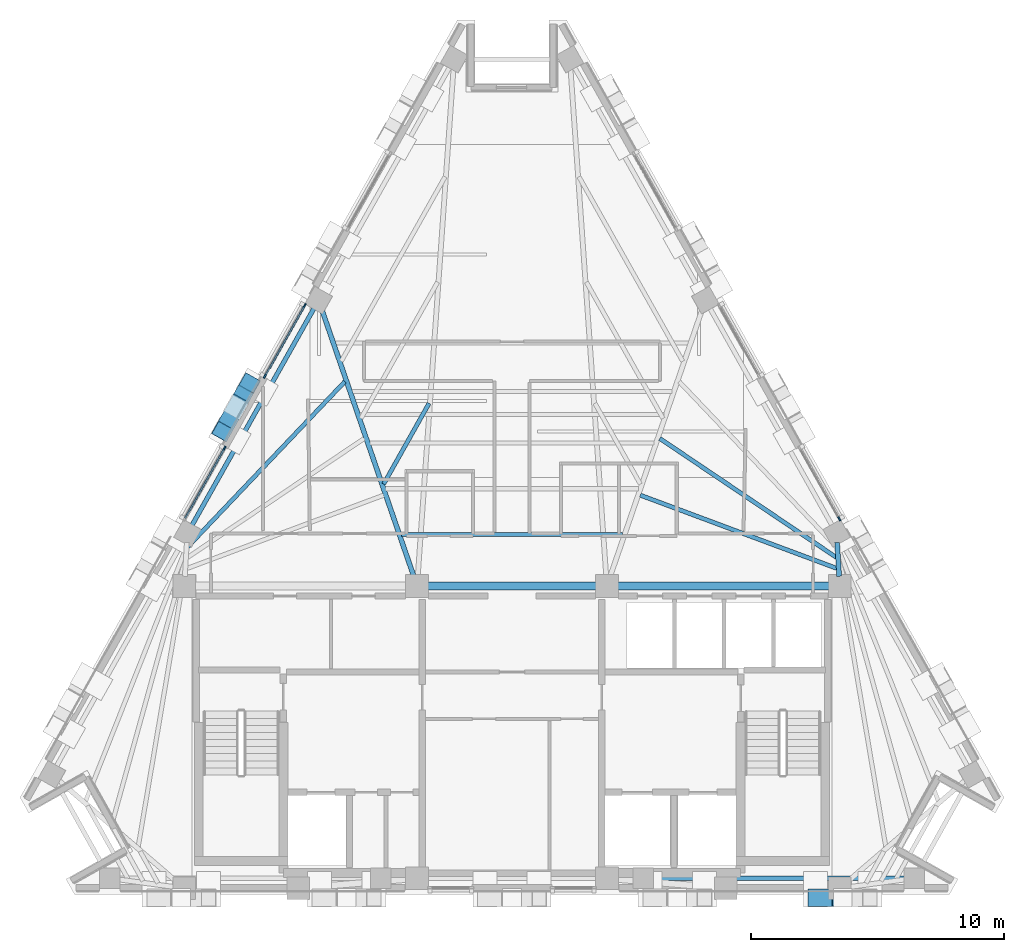
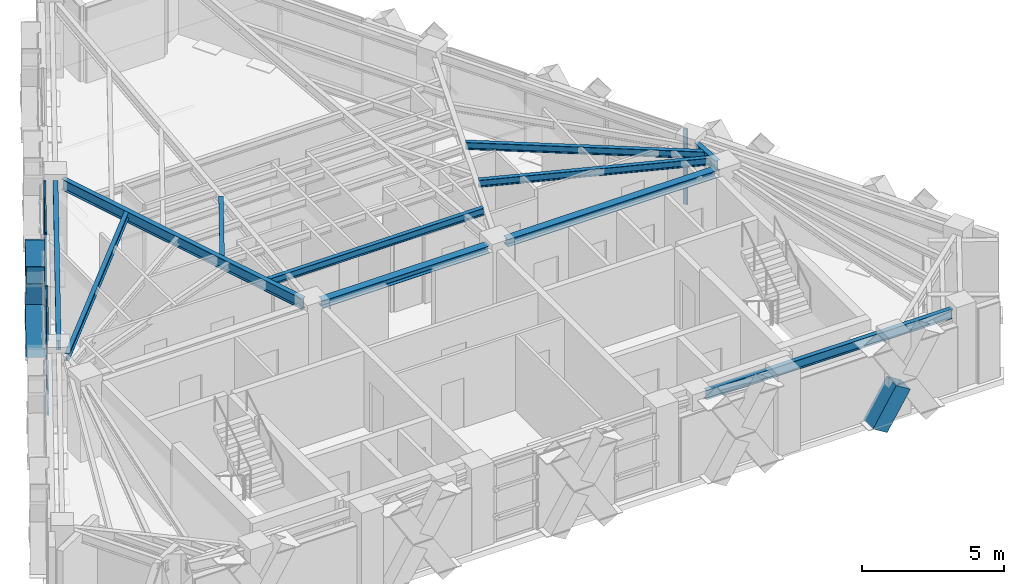
# One storey, part 3 of 11: 14 members, 11 beams, 3 elements without a shape of their own.
"""IFC4 building model written with IfcOpenShell, lengths in metres."""

import ifcopenshell
import ifcopenshell.guid

model = None  # the IFC model being written
_history = None  # IfcOwnerHistory: only IFC2X3 demands one
_inside = {}  # id of a spatial element -> (the spatial element, [elements in it])
_under = {}  # id of a project, library or spatial element -> (it, [spatial elements below it])
_declared = {}  # id of a project -> (the project, [libraries it declares])
_typed = {}  # id of a type object -> (the type object, [elements of that type])
_made_of = {}  # id of a material, layer set ... -> (it, [elements and type objects made of it])


def new_model(schema):
    """Start an empty IFC model of exactly this schema.

    Asked for "IFC4X3", IfcOpenShell would pick the latest addendum, in which some entities
    have other attributes; the version numbers below select the first issue.
    IFC2X3 requires an IfcOwnerHistory on every rooted entity: one is made here for all.
    """
    global model, _history
    if schema == "IFC4X3":
        model = ifcopenshell.file(schema_version=(4, 3, 0, 0))
    else:
        model = ifcopenshell.file(schema=schema)
    _inside.clear()
    _under.clear()
    _declared.clear()
    _typed.clear()
    _made_of.clear()
    _history = None
    if model.schema == "IFC2X3":
        org = make("IfcOrganization", Name="unknown")
        user = make(
            "IfcPersonAndOrganization",
            ThePerson=make("IfcPerson", FamilyName="unknown"),
            TheOrganization=org,
        )
        app = make(
            "IfcApplication",
            ApplicationDeveloper=org,
            Version="unknown",
            ApplicationFullName="unknown",
            ApplicationIdentifier="unknown",
        )
        _history = make(
            "IfcOwnerHistory",
            OwningUser=user,
            OwningApplication=app,
            ChangeAction="ADDED",
            CreationDate=0,
        )
    return model


def make(cls, **values):
    """One entity of the class cls with the attributes given. An attribute that is None is left unset."""
    return model.create_entity(
        cls, **{name: value for name, value in values.items() if value is not None}
    )


def rooted(cls, **values):
    """An entity with a GlobalId (a new one), such as an element, a storey or a relation."""
    return make(cls, GlobalId=ifcopenshell.guid.new(), OwnerHistory=_history, **values)


def si_unit(unit_type, name, prefix=None):
    """IfcSIUnit, for example si_unit("LENGTHUNIT", "METRE", prefix="MILLI")."""
    return make("IfcSIUnit", UnitType=unit_type, Prefix=prefix, Name=name)


def assignment(units):
    """IfcUnitAssignment: the units of a project."""
    return None if units is None else make("IfcUnitAssignment", Units=units)


def point(xyz):
    """IfcCartesianPoint."""
    return None if xyz is None else make("IfcCartesianPoint", Coordinates=xyz)


def direction(xyz):
    """IfcDirection."""
    return None if xyz is None else make("IfcDirection", DirectionRatios=xyz)


def frame(location, z_axis=None, x_axis=None):
    """IfcAxis2Placement3D, a coordinate frame: its origin and axes. An axis left out is left unset."""
    return make(
        "IfcAxis2Placement3D",
        Location=point(location),
        Axis=direction(z_axis),
        RefDirection=direction(x_axis),
    )


def frame_2d(location, x_axis=None):
    """IfcAxis2Placement2D, a coordinate frame in the plane: its origin and x axis."""
    return make(
        "IfcAxis2Placement2D", Location=point(location), RefDirection=direction(x_axis)
    )


def origin():
    """The frame at (0, 0, 0) with its axes left unset."""
    return frame((0.0, 0.0, 0.0))


def origin_2d():
    """The frame at (0, 0) in the plane with its x axis left unset."""
    return frame_2d((0.0, 0.0))


def place(relative_to, where):
    """IfcLocalPlacement: puts the frame where relative to a parent placement (None: the world)."""
    return make(
        "IfcLocalPlacement", PlacementRelTo=relative_to, RelativePlacement=where
    )


def context(
    kind, dimensions, precision=None, world=None, true_north=None, identifier=None
):
    """IfcGeometricRepresentationContext, for example the 3D "Model" context."""
    return make(
        "IfcGeometricRepresentationContext",
        ContextIdentifier=identifier,
        ContextType=kind,
        CoordinateSpaceDimension=dimensions,
        Precision=precision,
        WorldCoordinateSystem=world,
        TrueNorth=true_north,
    )


def subcontext(parent, identifier, kind, view, scale=None):
    """IfcGeometricRepresentationSubContext, for example "Body" below "Model"."""
    return make(
        "IfcGeometricRepresentationSubContext",
        ContextIdentifier=identifier,
        ContextType=kind,
        ParentContext=parent,
        TargetScale=scale,
        TargetView=view,
    )


def project(units=None, contexts=None):
    """IfcProject with its units and contexts."""
    return rooted(
        "IfcProject",
        Name="project",
        RepresentationContexts=contexts,
        UnitsInContext=assignment(units),
    )


def spatial(cls, under=None, at=None, **own):
    """A site, building, storey or space (cls), placed at a placement, below another one or the project."""
    s = rooted(cls, ObjectPlacement=at, **own)
    if under is not None:
        _under.setdefault(under.id(), (under, []))[1].append(s)
    return s


def profile(cls, at=None, kind="AREA", **sizes):
    """A parametric profile (cls). Its sizes go by their IFC names, for example OverallWidth=200.0."""
    return make(cls, ProfileType=kind, Position=at, **sizes)


def rectangle(**sizes):
    """IfcRectangleProfileDef."""
    return profile("IfcRectangleProfileDef", **sizes)


def hollow_rectangle(**sizes):
    """IfcRectangleHollowProfileDef."""
    return profile("IfcRectangleHollowProfileDef", **sizes)


def i_section(**sizes):
    """IfcIShapeProfileDef."""
    return profile("IfcIShapeProfileDef", **sizes)


def extrude(swept, where, along, depth):
    """IfcExtrudedAreaSolid: the profile swept, set in the frame where, extruded along a direction by depth."""
    return make(
        "IfcExtrudedAreaSolid",
        SweptArea=swept,
        Position=where,
        ExtrudedDirection=direction(along),
        Depth=depth,
    )


def shape(context_of_items, identifier, shape_type, items):
    """IfcShapeRepresentation: the items that make up one representation, for example the "Body"."""
    return make(
        "IfcShapeRepresentation",
        ContextOfItems=context_of_items,
        RepresentationIdentifier=identifier,
        RepresentationType=shape_type,
        Items=items,
    )


def material(Name=None, Category=None):
    """IfcMaterial."""
    return make("IfcMaterial", Name=Name, Category=Category)


def material_profile(
    of_material, cross_section, Name=None, Category=None, Priority=None
):
    """IfcMaterialProfile: a cross section and its material."""
    return make(
        "IfcMaterialProfile",
        Name=Name,
        Material=of_material,
        Profile=cross_section,
        Priority=Priority,
        Category=Category,
    )


def profile_set(profiles, Name=None, composite=None):
    """IfcMaterialProfileSet."""
    return make(
        "IfcMaterialProfileSet",
        Name=Name,
        MaterialProfiles=profiles,
        CompositeProfile=composite,
    )


def made_of(thing, what):
    """Note that an element or type object is made of a material, layer set ...; save() writes the relation."""
    if what is not None:
        _made_of.setdefault(what.id(), (what, []))[1].append(thing)
    return thing


def type_object(cls, material=None, **own):
    """A type object (cls), such as IfcWallType, which elements share."""
    return made_of(rooted(cls, **own), material)


def element(
    cls,
    number,
    at=None,
    inside=None,
    cuts=None,
    type_object=None,
    material=None,
    context=None,
    identifier="Body",
    shape_type=None,
    held_by="IfcProductDefinitionShape",
    body=None,
    shapes=None,
    **own,
):
    """One element of the class cls, such as IfcWall. Its Tag is "e" and its number.

    at: its placement. inside: the storey or other place that contains it. cuts: it is an
    opening in that element (IfcRelVoidsElement). A single representation is given by context,
    identifier, shape_type and body (its items); several are given by shapes. held_by: the class
    of the entity that holds the representations. save() writes the other relations.
    """
    e = rooted(cls, Tag="e%d" % number, ObjectPlacement=at, **own)
    if body is not None:
        shapes = [shape(context, identifier, shape_type, body)]
    if shapes is not None:
        e.Representation = make(held_by, Representations=shapes)
    if inside is not None:
        _inside.setdefault(inside.id(), (inside, []))[1].append(e)
    if cuts is not None:
        rooted(
            "IfcRelVoidsElement", RelatingBuildingElement=cuts, RelatedOpeningElement=e
        )
    if type_object is not None:
        _typed.setdefault(type_object.id(), (type_object, []))[1].append(e)
    return made_of(e, material)


def aggregate(whole, parts):
    """IfcRelAggregates: a whole, such as a stair, and the parts it consists of."""
    return rooted("IfcRelAggregates", RelatingObject=whole, RelatedObjects=parts)


def save(model, path):
    """Write the relations noted so far, then the file.

    IfcRelAggregates (storeys below a building ...), IfcRelContainedInSpatialStructure (elements
    in a storey), IfcRelDefinesByType, IfcRelAssociatesMaterial and IfcRelDeclares: one each for
    every whole, place, type object, material and project.
    """
    for whole, parts in _under.values():
        aggregate(whole, parts)
    for where, things in _inside.values():
        rooted(
            "IfcRelContainedInSpatialStructure",
            RelatedElements=things,
            RelatingStructure=where,
        )
    for kind, things in _typed.values():
        rooted("IfcRelDefinesByType", RelatedObjects=things, RelatingType=kind)
    for what, things in _made_of.values():
        rooted("IfcRelAssociatesMaterial", RelatedObjects=things, RelatingMaterial=what)
    for by, libraries in _declared.values():
        rooted("IfcRelDeclares", RelatingContext=by, RelatedDefinitions=libraries)
    model.write(path)


model = new_model("IFC4")

# Units and contexts
model_context = context("Model", 3, precision=1e-05, world=origin(), true_north=direction((0.0, 1.0)))
body_context = subcontext(model_context, "Body", "Model", "MODEL_VIEW")
ifc_project = project(units=[si_unit("LENGTHUNIT", "METRE"), si_unit("AREAUNIT", "SQUARE_METRE"), si_unit("VOLUMEUNIT", "CUBIC_METRE"), si_unit("PLANEANGLEUNIT", "RADIAN"), si_unit("MASSUNIT", "GRAM", prefix="KILO")], contexts=[model_context])

# Site, building, storey
site_placement = place(None, origin())
site = spatial("IfcSite", under=ifc_project, at=site_placement, CompositionType="ELEMENT")
building_placement = place(site_placement, origin())
building = spatial("IfcBuilding", under=site, at=building_placement, Name="Quenlor Broadcast Tower", CompositionType="ELEMENT")
storey_placement = place(building_placement, frame((0.0, 0.0, 253.39990234375)))
storey = spatial("IfcBuildingStorey", under=building, at=storey_placement, Name="L70", CompositionType="ELEMENT", Elevation=253.39990234375)

# Curtain wall, member
ifc_material_1 = material(Name="Architectural Terracotta and Low-E Glazing", Category="masonry")
curtain_wall_type = type_object("IfcCurtainWallType", Name="Unitised Terracotta Curtain Wall System Z5", PredefinedType="NOTDEFINED", material=ifc_material_1)
curtain_wall_1_placement = place(storey_placement, origin())
curtain_wall_1 = element("IfcCurtainWall", 1, at=curtain_wall_1_placement, inside=storey, type_object=curtain_wall_type, Name="L70 Curtain Wall CW5 (L70-NE-G2)", PredefinedType="NOTDEFINED")
ifc_material_2 = material(Name="Aluminium 6063-T6", Category="aluminium")
ifc_material_profile_1 = material_profile(ifc_material_2, rectangle(XDim=0.06494140625, YDim=0.169921875, at=origin_2d()))
ifc_profile_set_1 = profile_set([ifc_material_profile_1], Name="Aluminium 6063-T6 MULL65x170")
member_type_1 = type_object("IfcMemberType", Name="CW5 Aluminium Mullion MULL_CW5", PredefinedType="MULLION", material=ifc_profile_set_1)
member_1_placement = place(storey_placement, frame((12.930419921875, -2.1484375, 0.0), z_axis=(0.0, 0.0, 1.0), x_axis=(0.871574721405, 0.490262689797, 0.0)))
member_1 = element("IfcMember", 2, at=member_1_placement, type_object=member_type_1, Name="CW5 mullion 2", PredefinedType="MULLION", context=body_context, shape_type="SweptSolid", body=[
    extrude(rectangle(XDim=0.06494140625, YDim=0.169921875, at=origin_2d()), origin(), (0.0, 0.0, 1.0), 3.25),
])
aggregate(curtain_wall_1, [member_1])

curtain_wall_2_placement = place(storey_placement, origin())
curtain_wall_2 = element("IfcCurtainWall", 3, at=curtain_wall_2_placement, inside=storey, type_object=curtain_wall_type, Name="L70 Curtain Wall CW5 (L70-NW-G1)", PredefinedType="NOTDEFINED")
member_2_placement = place(storey_placement, frame((-11.357177734375, 0.6484375, 0.0), z_axis=(0.0, 0.0, 1.0), x_axis=(-0.871574721405, 0.490262689797, 0.0)))
member_2 = element("IfcMember", 4, at=member_2_placement, type_object=member_type_1, Name="CW5 mullion 2", PredefinedType="MULLION", context=body_context, shape_type="SweptSolid", body=[
    extrude(rectangle(XDim=0.06494140625, YDim=0.169921875, at=origin_2d()), origin(), (0.0, 0.0, 1.0), 3.25),
])

# Curtain wall, members
curtain_wall_3_placement = place(storey_placement, origin())
curtain_wall_3 = element("IfcCurtainWall", 5, at=curtain_wall_3_placement, inside=storey, type_object=curtain_wall_type, Name="L70 Curtain Wall CW5 (L70-NW-G2)", PredefinedType="NOTDEFINED")
member_3_placement = place(storey_placement, frame((-9.763427734375, 3.48193359375, 0.0), z_axis=(0.0, 0.0, 1.0), x_axis=(-0.871574721405, 0.490262689797, 0.0)))
member_3 = element("IfcMember", 6, at=member_3_placement, type_object=member_type_1, Name="CW5 mullion 1", PredefinedType="MULLION", context=body_context, shape_type="SweptSolid", body=[
    extrude(rectangle(XDim=0.06494140625, YDim=0.169921875, at=origin_2d()), origin(), (0.0, 0.0, 1.0), 3.25),
])
member_4_placement = place(storey_placement, frame((-8.190185546875, 6.27880859375, 0.0), z_axis=(0.0, 0.0, 1.0), x_axis=(-0.871574721405, 0.490262689797, 0.0)))
member_4 = element("IfcMember", 7, at=member_4_placement, type_object=member_type_1, Name="CW5 mullion 2", PredefinedType="MULLION", context=body_context, shape_type="SweptSolid", body=[
    extrude(rectangle(XDim=0.06494140625, YDim=0.169921875, at=origin_2d()), origin(), (0.0, 0.0, 1.0), 3.25),
])

# Member
ifc_material_3 = material(Name="Aluminium 6063-T6", Category="aluminium")
ifc_material_profile_2 = material_profile(ifc_material_3, rectangle(XDim=0.06494140625, YDim=0.139892578125, at=origin_2d()))
ifc_profile_set_2 = profile_set([ifc_material_profile_2], Name="Aluminium 6063-T6 TRAN65x140")
member_type_2 = type_object("IfcMemberType", Name="CW5 Aluminium Transom TRAN_CW5", PredefinedType="USERDEFINED", material=ifc_profile_set_2)
member_5_placement = place(storey_placement, frame((-12.91455078125, -2.1201171875, 0.03271484375), z_axis=(0.490290733046, 0.871558946422, 0.0), x_axis=(-0.871558946422, 0.490290733046, 0.0)))
member_5 = element("IfcMember", 8, at=member_5_placement, type_object=member_type_2, Name="CW5 transom 1.1", ObjectType="TRANSOM", PredefinedType="USERDEFINED", context=body_context, shape_type="SweptSolid", body=[
    extrude(rectangle(XDim=0.06494140625, YDim=0.139892578125, at=origin_2d()), origin(), (0.0, 0.0, 1.0), 3.14404296875),
])

member_6_placement = place(storey_placement, frame((-12.91455078125, -2.1201171875, 0.9501953125), z_axis=(0.490290733046, 0.871558946422, 0.0), x_axis=(-0.871558946422, 0.490290733046, 0.0)))
member_6 = element("IfcMember", 9, at=member_6_placement, type_object=member_type_2, Name="CW5 transom 1.2", ObjectType="TRANSOM", PredefinedType="USERDEFINED", context=body_context, shape_type="SweptSolid", body=[
    extrude(rectangle(XDim=0.06494140625, YDim=0.139892578125, at=origin_2d()), origin(), (0.0, 0.0, 1.0), 3.14404296875),
])

member_7_placement = place(storey_placement, frame((-12.91455078125, -2.1201171875, 3.217529296875), z_axis=(0.490290733046, 0.871558946422, 0.0), x_axis=(-0.871558946422, 0.490290733046, 0.0)))
member_7 = element("IfcMember", 10, at=member_7_placement, type_object=member_type_2, Name="CW5 transom 1.3", ObjectType="TRANSOM", PredefinedType="USERDEFINED", context=body_context, shape_type="SweptSolid", body=[
    extrude(rectangle(XDim=0.06494140625, YDim=0.139892578125, at=origin_2d()), origin(), (0.0, 0.0, 1.0), 3.14404296875),
])

aggregate(curtain_wall_2, [member_2, member_5, member_6, member_7])

member_8_placement = place(storey_placement, frame((-9.747314453125, 3.51025390625, 0.03271484375), z_axis=(0.490231744535, 0.87159212746, 0.0), x_axis=(-0.87159212746, 0.490231744535, 0.0)))
member_8 = element("IfcMember", 11, at=member_8_placement, type_object=member_type_2, Name="CW5 transom 1.1", ObjectType="TRANSOM", PredefinedType="USERDEFINED", context=body_context, shape_type="SweptSolid", body=[
    extrude(rectangle(XDim=0.06494140625, YDim=0.139892578125, at=origin_2d()), origin(), (0.0, 0.0, 1.0), 3.14404296875),
])

member_9_placement = place(storey_placement, frame((-9.747314453125, 3.51025390625, 0.9501953125), z_axis=(0.490231744535, 0.87159212746, 0.0), x_axis=(-0.87159212746, 0.490231744535, 0.0)))
member_9 = element("IfcMember", 12, at=member_9_placement, type_object=member_type_2, Name="CW5 transom 1.2", ObjectType="TRANSOM", PredefinedType="USERDEFINED", context=body_context, shape_type="SweptSolid", body=[
    extrude(rectangle(XDim=0.06494140625, YDim=0.139892578125, at=origin_2d()), origin(), (0.0, 0.0, 1.0), 3.14404296875),
])

member_10_placement = place(storey_placement, frame((-9.747314453125, 3.51025390625, 3.217529296875), z_axis=(0.490231744535, 0.87159212746, 0.0), x_axis=(-0.87159212746, 0.490231744535, 0.0)))
member_10 = element("IfcMember", 13, at=member_10_placement, type_object=member_type_2, Name="CW5 transom 1.3", ObjectType="TRANSOM", PredefinedType="USERDEFINED", context=body_context, shape_type="SweptSolid", body=[
    extrude(rectangle(XDim=0.06494140625, YDim=0.139892578125, at=origin_2d()), origin(), (0.0, 0.0, 1.0), 3.14404296875),
])

aggregate(curtain_wall_3, [member_3, member_4, member_8, member_9, member_10])

# Beams
ifc_material_4 = material(Name="Steel S355", Category="steel")
ifc_material_profile_3 = material_profile(ifc_material_4, i_section(OverallWidth=0.304931640625, OverallDepth=0.30810546875, WebThickness=0.010009765625, FlangeThickness=0.015380859375, FilletRadius=0.0166015625, at=origin_2d()))
ifc_profile_set_3 = profile_set([ifc_material_profile_3], Name="Steel S355 310UC96.8")
beam_type_1 = type_object("IfcBeamType", Name="Core Header Beam Steel S355 310UC96.8", PredefinedType="BEAM", material=ifc_profile_set_3)
beam_1_placement = place(storey_placement, frame((-3.389892578125, -4.800048828125, 3.09619140625), z_axis=(1.0, 0.0, 0.0), x_axis=(0.0, 1.0, 0.0)))
element("IfcBeam", 14, at=beam_1_placement, inside=storey, type_object=beam_type_1, Name="L70 Core Header Beam 2", PredefinedType="BEAM", context=body_context, shape_type="SweptSolid", body=[
    extrude(i_section(OverallWidth=0.304931640625, OverallDepth=0.30810546875, WebThickness=0.010009765625, FlangeThickness=0.015380859375, FilletRadius=0.0166015625, at=origin_2d()), origin(), (0.0, 0.0, 1.0), 6.77978515625),
])
ifc_material_5 = material(Name="Steel S355", Category="steel")
ifc_material_profile_4 = material_profile(ifc_material_5, i_section(OverallWidth=0.306884765625, OverallDepth=0.314697265625, WebThickness=0.011962890625, FlangeThickness=0.018798828125, FilletRadius=0.0166015625, at=origin_2d()))
ifc_profile_set_4 = profile_set([ifc_material_profile_4], Name="Steel S355 310UC118")
beam_type_2 = type_object("IfcBeamType", Name="Core Tie Beam Steel S355 310UC118", PredefinedType="BEAM", material=ifc_profile_set_4)
beam_2_placement = place(storey_placement, frame((4.110107421875, -4.800048828125, 3.0927734375), z_axis=(1.0, 0.0, 0.0), x_axis=(0.0, 1.0, 0.0)))
element("IfcBeam", 15, at=beam_2_placement, inside=storey, type_object=beam_type_2, Name="L70 Core Tie Beam 3", PredefinedType="BEAM", context=body_context, shape_type="SweptSolid", body=[
    extrude(i_section(OverallWidth=0.306884765625, OverallDepth=0.314697265625, WebThickness=0.011962890625, FlangeThickness=0.018798828125, FilletRadius=0.0166015625, at=origin_2d()), origin(), (0.0, 0.0, 1.0), 8.47998046875),
])

# Members
ifc_material_6 = material(Name="Steel S355", Category="steel")
ifc_material_profile_5 = material_profile(ifc_material_6, hollow_rectangle(XDim=0.679931640625, YDim=0.679931640625, WallThickness=0.02001953125, at=origin_2d()))
ifc_profile_set_5 = profile_set([ifc_material_profile_5], Name="Steel S355 RHS680x680x20")
member_type_3 = type_object("IfcMemberType", Name="Perimeter Diagonal Lattice Brace Z5-Crown Steel S355 RHS680x20", PredefinedType="BRACE", material=ifc_profile_set_5)
member_11_placement = place(storey_placement, frame((11.98828125, -17.1201171875, -0.119873046875), z_axis=(0.523719849356, 0.0, 0.851890555993), x_axis=(0.0, 1.0, 0.0)))
element("IfcMember", 16, at=member_11_placement, inside=storey, type_object=member_type_3, Name="L70 Perimeter Diamond Lattice S-C1XB1", PredefinedType="BRACE", context=body_context, shape_type="SweptSolid", body=[
    extrude(hollow_rectangle(XDim=0.679931640625, YDim=0.679931640625, WallThickness=0.02001953125, at=origin_2d()), origin(), (0.0, 0.0, 1.0), 1.803955078125),
])
member_12_placement = place(storey_placement, frame((-11.443115234375, 1.3017578125, -0.119873046875), z_axis=(0.260618804175, 0.463276364439, 0.847025884529), x_axis=(-0.8715547569, 0.490298180422, 0.0)))
element("IfcMember", 17, at=member_12_placement, inside=storey, type_object=member_type_3, Name="L70 Perimeter Diamond Lattice NW-C3XA", PredefinedType="BRACE", context=body_context, shape_type="SweptSolid", body=[
    extrude(hollow_rectangle(XDim=0.679931640625, YDim=0.679931640625, WallThickness=0.02001953125, at=origin_2d()), origin(), (0.0, 0.0, 1.0), 4.132080078125),
])
member_13_placement = place(storey_placement, frame((-10.3662109375, 3.216064453125, -0.119873046875), z_axis=(-0.26068648878, -0.463293264743, 0.846995811921), x_axis=(0.871507987664, -0.490381308207, 0.0)))
element("IfcMember", 18, at=member_13_placement, inside=storey, type_object=member_type_3, Name="L70 Perimeter Diamond Lattice NW-C3XB1", PredefinedType="BRACE", context=body_context, shape_type="SweptSolid", body=[
    extrude(hollow_rectangle(XDim=0.679931640625, YDim=0.679931640625, WallThickness=0.02001953125, at=origin_2d()), origin(), (0.0, 0.0, 1.0), 1.81591796875),
])
member_14_placement = place(storey_placement, frame((-10.9697265625, 2.14306640625, 1.841796875), z_axis=(-0.260656806259, -0.463240512825, 0.847033798988), x_axis=(0.871507987664, -0.490381308207, 0.0)))
element("IfcMember", 19, at=member_14_placement, inside=storey, type_object=member_type_3, Name="L70 Perimeter Diamond Lattice NW-C3XB2", PredefinedType="BRACE", context=body_context, shape_type="SweptSolid", body=[
    extrude(hollow_rectangle(XDim=0.679931640625, YDim=0.679931640625, WallThickness=0.02001953125, at=origin_2d()), origin(), (0.0, 0.0, 1.0), 1.816162109375),
])

# Beams
ifc_material_7 = material(Name="Steel S355", Category="steel")
ifc_material_profile_6 = material_profile(ifc_material_7, i_section(OverallWidth=0.177978515625, OverallDepth=0.406494140625, WebThickness=0.0078125, FlangeThickness=0.0126953125, FilletRadius=0.011474609375, at=origin_2d()))
ifc_profile_set_6 = profile_set([ifc_material_profile_6], Name="Steel S355 410UB59.7")
beam_type_3 = type_object("IfcBeamType", Name="Perimeter Spandrel Beam Z5 Steel S355 410UB59.7", PredefinedType="SPANDREL", material=ifc_profile_set_6)
beam_3_placement = place(storey_placement, frame((5.5439453125, -16.35009765625, 3.046875), z_axis=(1.0, 0.0, 0.0), x_axis=(0.0, 1.0, 0.0)))
element("IfcBeam", 20, at=beam_3_placement, inside=storey, type_object=beam_type_3, Name="L70 Spandrel Beam S3-S4", PredefinedType="SPANDREL", context=body_context, shape_type="SweptSolid", body=[
    extrude(i_section(OverallWidth=0.177978515625, OverallDepth=0.406494140625, WebThickness=0.0078125, FlangeThickness=0.0126953125, FilletRadius=0.011474609375, at=origin_2d()), origin(), (0.0, 0.0, 1.0), 9.99365234375),
])
beam_4_placement = place(storey_placement, frame((-7.818115234375, 6.175537109375, 3.046875), z_axis=(-0.49024947634, -0.871582153872, 0.0), x_axis=(0.871582153872, -0.49024947634, 0.0)))
element("IfcBeam", 21, at=beam_4_placement, inside=storey, type_object=beam_type_3, Name="L70 Spandrel Beam NW2-NW3", PredefinedType="SPANDREL", context=body_context, shape_type="SweptSolid", body=[
    extrude(i_section(OverallWidth=0.177978515625, OverallDepth=0.406494140625, WebThickness=0.0078125, FlangeThickness=0.0126953125, FilletRadius=0.011474609375, at=origin_2d()), origin(), (0.0, 0.0, 1.0), 9.853759765625),
])
ifc_material_8 = material(Name="Steel S355", Category="steel")
ifc_material_profile_7 = material_profile(ifc_material_8, i_section(OverallWidth=0.166015625, OverallDepth=0.30712890625, WebThickness=0.006591796875, FlangeThickness=0.01171875, FilletRadius=0.011474609375, at=origin_2d()))
ifc_profile_set_7 = profile_set([ifc_material_profile_7], Name="Steel S355 310UB46.2")
beam_type_4 = type_object("IfcBeamType", Name="Tower Composite Joist Z4-Z5 Steel S355 310UB46.2", PredefinedType="JOIST", material=ifc_profile_set_7)
beam_5_placement = place(storey_placement, frame((-4.37060546875, -2.767822265625, 3.096435546875), z_axis=(1.0, 0.0, 0.0), x_axis=(0.0, 1.0, 0.0)))
element("IfcBeam", 22, at=beam_5_placement, inside=storey, type_object=beam_type_4, Name="L70 Secondary Composite Joist 1", PredefinedType="JOIST", context=body_context, shape_type="SweptSolid", body=[
    extrude(i_section(OverallWidth=0.166015625, OverallDepth=0.30712890625, WebThickness=0.006591796875, FlangeThickness=0.01171875, FilletRadius=0.011474609375, at=origin_2d()), origin(), (0.0, 0.0, 1.0), 8.7412109375),
])
beam_6_placement = place(storey_placement, frame((-12.80517578125, -3.249267578125, 3.096435546875), z_axis=(0.689023306429, 0.724739182877, 0.0), x_axis=(-0.724739182877, 0.689023306429, 0.0)))
element("IfcBeam", 23, at=beam_6_placement, inside=storey, type_object=beam_type_4, Name="L70 Secondary Composite Joist 9", PredefinedType="JOIST", context=body_context, shape_type="SweptSolid", body=[
    extrude(i_section(OverallWidth=0.166015625, OverallDepth=0.30712890625, WebThickness=0.006591796875, FlangeThickness=0.01171875, FilletRadius=0.011474609375, at=origin_2d()), origin(), (0.0, 0.0, 1.0), 8.99560546875),
])
beam_7_placement = place(storey_placement, frame((12.835205078125, -4.108642578125, 3.096435546875), z_axis=(-0.937062080226, 0.349162795559, 0.0), x_axis=(-0.349162795559, -0.937062080226, 0.0)))
element("IfcBeam", 24, at=beam_7_placement, inside=storey, type_object=beam_type_4, Name="L70 Secondary Composite Joist 10", PredefinedType="JOIST", context=body_context, shape_type="SweptSolid", body=[
    extrude(i_section(OverallWidth=0.166015625, OverallDepth=0.30712890625, WebThickness=0.006591796875, FlangeThickness=0.01171875, FilletRadius=0.011474609375, at=origin_2d()), origin(), (0.0, 0.0, 1.0), 8.286376953125),
])
beam_8_placement = place(storey_placement, frame((12.81884765625, -3.67724609375, 3.096435546875), z_axis=(-0.829286301475, 0.558823970661, 0.0), x_axis=(-0.558823970661, -0.829286301475, 0.0)))
element("IfcBeam", 25, at=beam_8_placement, inside=storey, type_object=beam_type_4, Name="L70 Secondary Composite Joist 11", PredefinedType="JOIST", context=body_context, shape_type="SweptSolid", body=[
    extrude(i_section(OverallWidth=0.166015625, OverallDepth=0.30712890625, WebThickness=0.006591796875, FlangeThickness=0.01171875, FilletRadius=0.011474609375, at=origin_2d()), origin(), (0.0, 0.0, 1.0), 8.415771484375),
])
beam_9_placement = place(storey_placement, frame((-3.2763671875, 2.41455078125, 3.096435546875), z_axis=(-0.490258076222, -0.871577316535, 0.0), x_axis=(0.871577316535, -0.490258076222, 0.0)))
element("IfcBeam", 26, at=beam_9_placement, inside=storey, type_object=beam_type_4, Name="L70 Secondary Composite Joist 25", PredefinedType="JOIST", context=body_context, shape_type="SweptSolid", body=[
    extrude(i_section(OverallWidth=0.166015625, OverallDepth=0.30712890625, WebThickness=0.006591796875, FlangeThickness=0.01171875, FilletRadius=0.011474609375, at=origin_2d()), origin(), (0.0, 0.0, 1.0), 3.6640625),
])
ifc_material_9 = material(Name="Steel S355", Category="steel")
ifc_material_profile_8 = material_profile(ifc_material_9, i_section(OverallWidth=0.19091796875, OverallDepth=0.46044921875, WebThickness=0.010009765625, FlangeThickness=0.01611328125, FilletRadius=0.011474609375, at=origin_2d()))
ifc_profile_set_8 = profile_set([ifc_material_profile_8], Name="Steel S355 460UB82.1")
beam_type_5 = type_object("IfcBeamType", Name="Tower Primary Floor Beam Z5 Steel S355 460UB82.1", PredefinedType="BEAM", material=ifc_profile_set_8)
beam_10_placement = place(storey_placement, frame((12.84716796875, -3.086181640625, 3.02001953125), z_axis=(0.059899569349, -0.998204408722, 0.0), x_axis=(0.998204408722, 0.059899569349, 0.0)))
element("IfcBeam", 27, at=beam_10_placement, inside=storey, type_object=beam_type_5, Name="L70 Primary Radial Beam NE2", PredefinedType="BEAM", context=body_context, shape_type="SweptSolid", body=[
    extrude(i_section(OverallWidth=0.19091796875, OverallDepth=0.46044921875, WebThickness=0.010009765625, FlangeThickness=0.01611328125, FilletRadius=0.011474609375, at=origin_2d()), origin(), (0.0, 0.0, 1.0), 1.3369140625),
])
beam_11_placement = place(storey_placement, frame((-7.524169921875, 6.14892578125, 3.02001953125), z_axis=(0.325895297662, -0.945405867848, 0.0), x_axis=(0.945405867848, 0.325895297662, 0.0)))
element("IfcBeam", 28, at=beam_11_placement, inside=storey, type_object=beam_type_5, Name="L70 Primary Radial Beam NW2", PredefinedType="BEAM", context=body_context, shape_type="SweptSolid", body=[
    extrude(i_section(OverallWidth=0.19091796875, OverallDepth=0.46044921875, WebThickness=0.010009765625, FlangeThickness=0.01611328125, FilletRadius=0.011474609375, at=origin_2d()), origin(), (0.0, 0.0, 1.0), 11.201171875),
])

save(model, "model.ifc")
